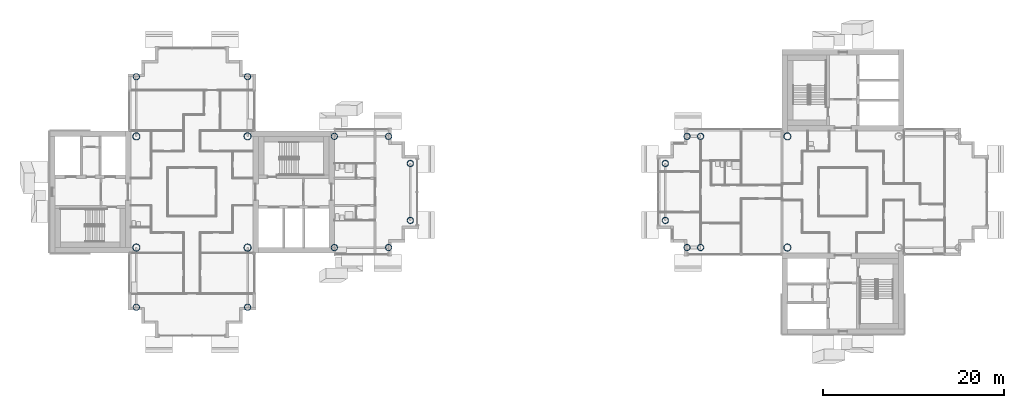
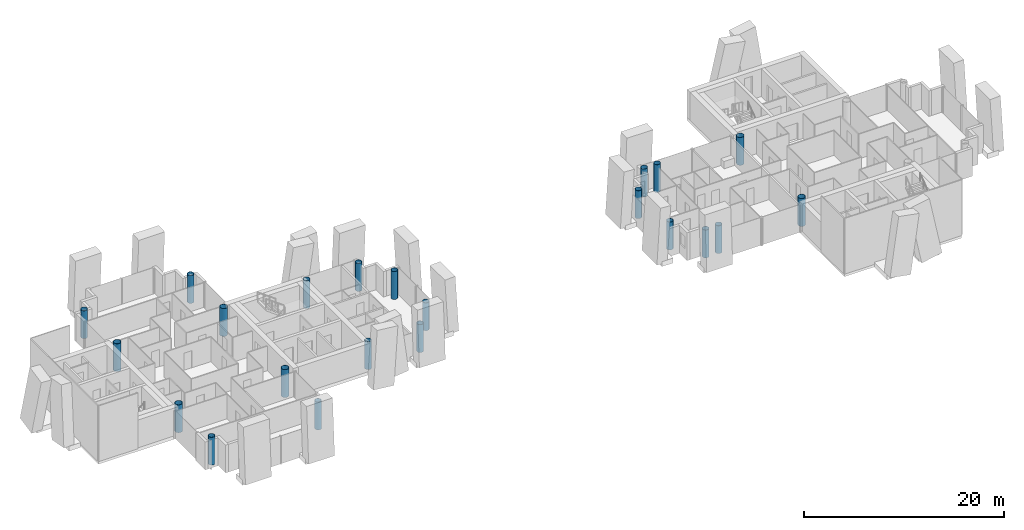
# One storey, part 1 of 18: 22 columns.
"""IFC4 building model written with IfcOpenShell, lengths in metres."""

from ifc_helpers import new_model, si_unit, direction, frame, origin, origin_2d, place, context, subcontext, project, spatial, hollow_circle, extrude, material, material_profile, profile_set, type_object, element, save


model = new_model("IFC4")

# Units and contexts
model_context = context("Model", 3, precision=1e-05, world=origin(), true_north=direction((0.0, 1.0)))
body_context = subcontext(model_context, "Body", "Model", "MODEL_VIEW")
ifc_project = project(units=[si_unit("LENGTHUNIT", "METRE"), si_unit("AREAUNIT", "SQUARE_METRE"), si_unit("VOLUMEUNIT", "CUBIC_METRE"), si_unit("PLANEANGLEUNIT", "RADIAN"), si_unit("MASSUNIT", "GRAM", prefix="KILO")], contexts=[model_context])

# Site, building, storey
site_placement = place(None, origin())
site = spatial("IfcSite", under=ifc_project, at=site_placement, CompositionType="ELEMENT")
building_placement = place(site_placement, origin())
building = spatial("IfcBuilding", under=site, at=building_placement, Name="Ipe Terrace Towers", CompositionType="ELEMENT")
storey_placement = place(building_placement, frame((0.0, 0.0, 196.0)))
storey = spatial("IfcBuildingStorey", under=building, at=storey_placement, Name="L54", CompositionType="ELEMENT", Elevation=196.0)

# Columns
ifc_material_1 = material(Name="Steel S355 tube with Concrete C60/75 fill", Category="concrete")
ifc_material_profile_1 = material_profile(ifc_material_1, hollow_circle(Radius=0.35009765625, WallThickness=0.02490234375, at=origin_2d()), Name="CHS-700x25")
ifc_profile_set_1 = profile_set([ifc_material_profile_1], Name="Steel S355 tube with Concrete C60/75 fill")
column_type_1 = type_object("IfcColumnType", Name="CH08 COLUMN CHS-700x25", PredefinedType="COLUMN", material=ifc_profile_set_1)
for number, where, z_axis, x_axis, name in (
    (1, (-20.25, -6.14990234375, 0.0), (0.0, 0.0, 1.0), (1.0, 0.0, 0.0), "Column T1-C-A01"),
    (2, (-20.25, 6.14990234375, 0.0), (0.0, 0.0, 1.0), (1.0, 0.0, 0.0), "Column T1-C-A02"),
    (3, (-14.25, -6.14990234375, 0.0), (0.0, 0.0, 1.0), (1.0, 0.0, 0.0), "Column T1-C-A03"),
    (4, (-14.25, 6.14990234375, 0.0), (0.0, 0.0, 1.0), (1.0, 0.0, 0.0), "Column T1-C-A04"),
    (5, (-11.85009765625, -3.14990234375, 0.0), (0.0, 0.0, 1.0), (1.0, 0.0, 0.0), "Column T1-C-A05"),
    (6, (-11.85009765625, 3.14990234375, 0.0), (0.0, 0.0, 1.0), (1.0, 0.0, 0.0), "Column T1-C-A06"),
    (7, (-29.85009765625, 12.75, 0.0), (0.0, 0.0, 1.0), (1.0, 0.0, 0.0), "Column T1-C-B01"),
    (8, (-42.14990234375, 12.75, 0.0), (0.0, 0.0, 1.0), (1.0, 0.0, 0.0), "Column T1-C-B02"),
    (9, (-42.14990234375, -12.75, 0.0), (0.0, 0.0, 1.0), (1.0, 0.0, 0.0), "Column T1-C-D01"),
    (10, (-29.85009765625, -12.75, 0.0), (0.0, 0.0, 1.0), (1.0, 0.0, 0.0), "Column T1-C-D02"),
    (11, (20.25, 6.14990234375, 0.0), (0.0, 0.0, 1.0), (1.0, 0.0, 0.0), "Column T2-C-B03"),
    (12, (20.25, -6.14990234375, 0.0), (0.0, 0.0, 1.0), (1.0, 0.0, 0.0), "Column T2-C-B04"),
    (13, (18.75, 6.14990234375, 0.0), (0.0, 0.0, 1.0), (1.0, 0.0, 0.0), "Column T2-C-B05"),
    (14, (18.75, -6.14990234375, 0.0), (0.0, 0.0, 1.0), (1.0, 0.0, 0.0), "Column T2-C-B06"),
    (15, (16.35009765625, 3.14990234375, 0.0), (0.0, 0.0, 1.0), (1.0, 0.0, 0.0), "Column T2-C-B07"),
    (16, (16.35009765625, -3.14990234375, 0.0), (0.0, 0.0, 1.0), (1.0, 0.0, 0.0), "Column T2-C-B08"),
):
    element("IfcColumn", number, at=place(storey_placement, frame(where, z_axis=z_axis, x_axis=x_axis)), inside=storey, type_object=column_type_1, Name=name, PredefinedType="COLUMN", context=body_context, shape_type="SweptSolid", body=[
        extrude(hollow_circle(Radius=0.35009765625, WallThickness=0.02490234375, at=origin_2d()), origin(), (0.0, 0.0, 1.0), 3.39990234375),
    ])
ifc_material_2 = material(Name="Steel S355 tube with Concrete C60/75 fill", Category="concrete")
ifc_material_profile_2 = material_profile(ifc_material_2, hollow_circle(Radius=0.39990234375, WallThickness=0.028076171875, at=origin_2d()), Name="CHS-800x28")
ifc_profile_set_2 = profile_set([ifc_material_profile_2], Name="Steel S355 tube with Concrete C60/75 fill")
column_type_2 = type_object("IfcColumnType", Name="CH09 COLUMN CHS-800x28", PredefinedType="COLUMN", material=ifc_profile_set_2)
for number, where, z_axis, x_axis, name in (
    (17, (-42.14990234375, -6.14990234375, 0.0), (0.0, 0.0, 1.0), (1.0, 0.0, 0.0), "Column T1-C-E01"),
    (18, (-29.85009765625, -6.14990234375, 0.0), (0.0, 0.0, 1.0), (1.0, 0.0, 0.0), "Column T1-C-E02"),
    (19, (-29.85009765625, 6.14990234375, 0.0), (0.0, 0.0, 1.0), (1.0, 0.0, 0.0), "Column T1-C-E03"),
    (20, (-42.14990234375, 6.14990234375, 0.0), (0.0, 0.0, 1.0), (1.0, 0.0, 0.0), "Column T1-C-E04"),
    (21, (29.85009765625, 6.14990234375, 0.0), (0.0, 0.0, 1.0), (1.0, 0.0, 0.0), "Column T2-C-E03"),
    (22, (29.85009765625, -6.14990234375, 0.0), (0.0, 0.0, 1.0), (1.0, 0.0, 0.0), "Column T2-C-E04"),
):
    element("IfcColumn", number, at=place(storey_placement, frame(where, z_axis=z_axis, x_axis=x_axis)), inside=storey, type_object=column_type_2, Name=name, PredefinedType="COLUMN", context=body_context, shape_type="SweptSolid", body=[
        extrude(hollow_circle(Radius=0.39990234375, WallThickness=0.028076171875, at=origin_2d()), origin(), (0.0, 0.0, 1.0), 3.39990234375),
    ])

save(model, "model.ifc")
